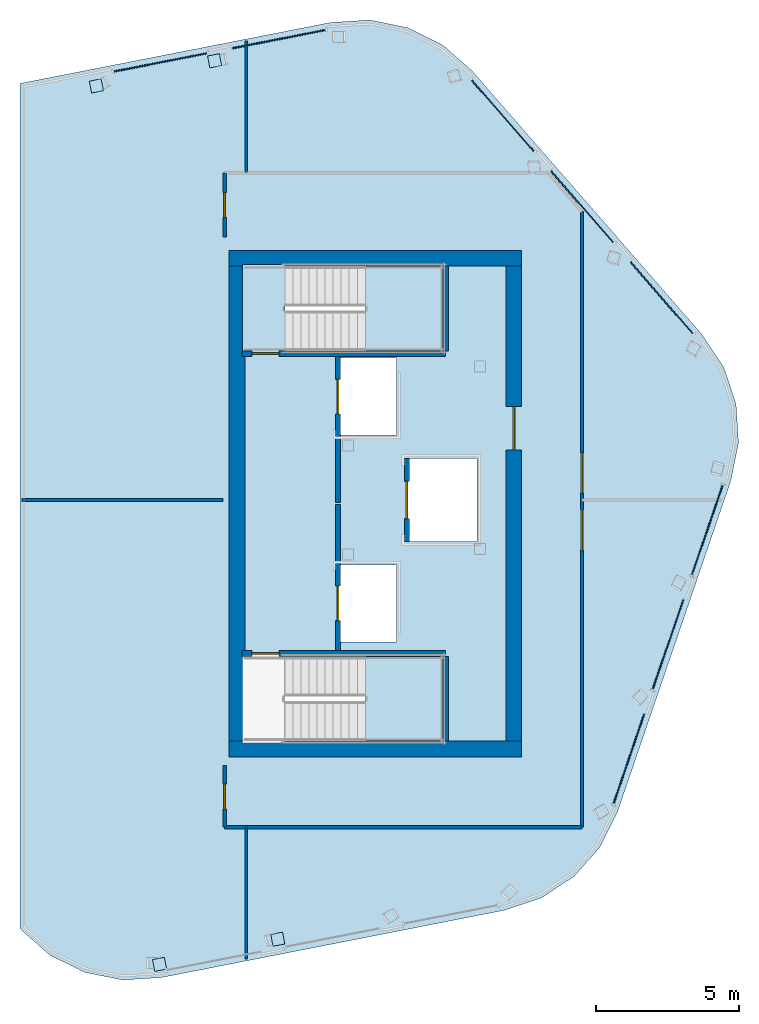
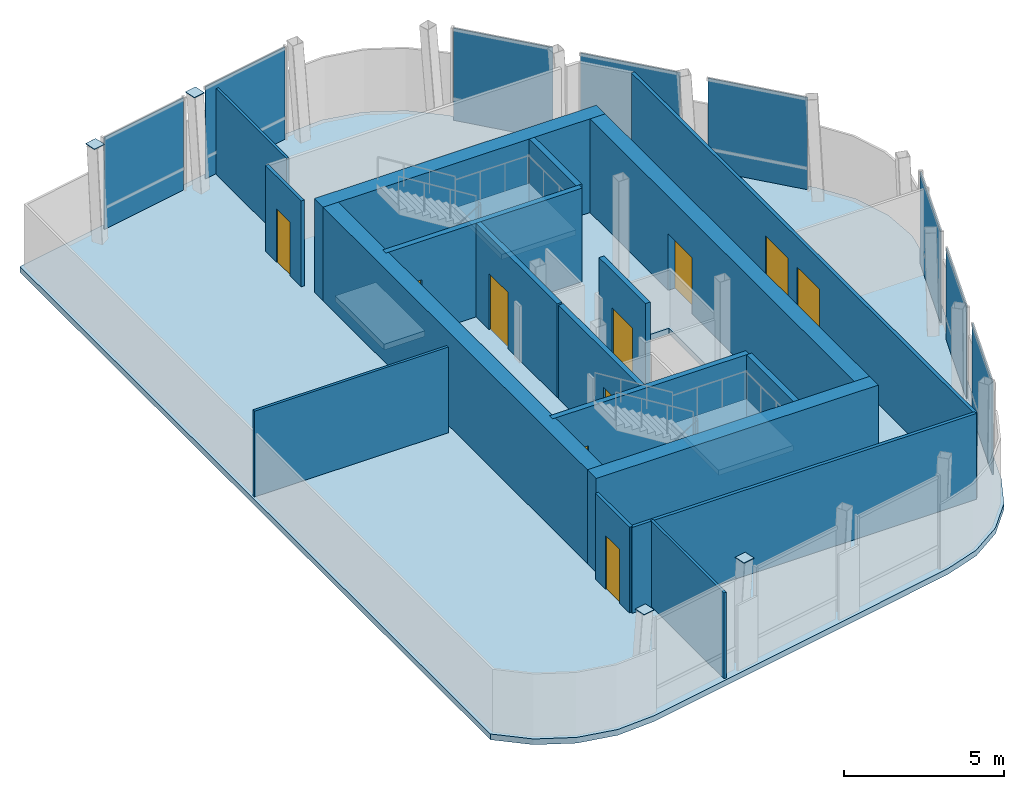
# One storey, part 2 of 5: 18 walls, 12 plates, 10 doors, 4 slabs, 10 openings, 5 elements without a shape of their own.
"""IFC4 building model written with IfcOpenShell, lengths in metres."""

from ifc_helpers import new_model, si_unit, direction, frame, frame_2d, origin, origin_2d, place, context, subcontext, project, spatial, polyline, rectangle, outline, extrude, material, layer, layer_set, type_object, element, fill, aggregate, save


model = new_model("IFC4")

# Units and contexts
model_context = context("Model", 3, precision=1e-05, world=origin(), true_north=direction((0.0, 1.0)))
body_context = subcontext(model_context, "Body", "Model", "MODEL_VIEW")
ifc_project = project(units=[si_unit("LENGTHUNIT", "METRE"), si_unit("AREAUNIT", "SQUARE_METRE"), si_unit("VOLUMEUNIT", "CUBIC_METRE"), si_unit("PLANEANGLEUNIT", "RADIAN"), si_unit("MASSUNIT", "GRAM", prefix="KILO")], contexts=[model_context])

# Site, building, storey
site_placement = place(None, origin())
site = spatial("IfcSite", under=ifc_project, at=site_placement, CompositionType="ELEMENT")
building_placement = place(site_placement, origin())
building = spatial("IfcBuilding", under=site, at=building_placement, Name="Valkerne Bourse Tower", CompositionType="ELEMENT")
storey_placement = place(building_placement, frame((0.0, 0.0, 330.60009765625)))
storey = spatial("IfcBuildingStorey", under=building, at=storey_placement, Name="L84", CompositionType="ELEMENT", Elevation=330.60009765625)

# Curtain wall, plates
ifc_material_1 = material(Name="Aluminium AA 6063-T6", Category="aluminium")
ifc_layer_1 = layer(ifc_material_1, 0.25)
ifc_layer_set_1 = layer_set([ifc_layer_1], Name="Aluminium AA 6063-T6")
curtain_wall_type = type_object("IfcCurtainWallType", Name="CW-06", PredefinedType="NOTDEFINED", material=ifc_layer_set_1)
curtain_wall_1_placement = place(storey_placement, origin())
curtain_wall_1 = element("IfcCurtainWall", 1, at=curtain_wall_1_placement, inside=storey, type_object=curtain_wall_type, Name="L84 Hexagonal Stick Curtain Wall Face 1", PredefinedType="NOTDEFINED")
ifc_material_2 = material(Name="Bronze Anodised Aluminium AA 6063-T6", Category="aluminium")
ifc_layer_2 = layer(ifc_material_2, 0.0400390625)
ifc_layer_set_2 = layer_set([ifc_layer_2], Name="Bronze Anodised Aluminium AA 6063-T6")
plate_type_1 = type_object("IfcPlateType", Name="CW-PNL-LOUVRE-40", PredefinedType="CURTAIN_PANEL", material=ifc_layer_set_2)
plate_1_placement = place(storey_placement, frame((47.941650390625, 43.05908203125, 0.02978515625), z_axis=(0.0, 0.0, 1.0), x_axis=(-0.981292735792, -0.192521600561, 0.0)))
plate_1 = element("IfcPlate", 2, at=plate_1_placement, type_object=plate_type_1, Name="CW-L84-F1 Curtain Panel 00", PredefinedType="CURTAIN_PANEL", context=body_context, shape_type="SweptSolid", body=[
    extrude(rectangle(XDim=3.2919921875, YDim=0.0400390625, at=origin_2d()), origin(), (0.0, 0.0, 1.0), 3.52001953125),
])
plate_2_placement = place(storey_placement, frame((43.80859375, 42.248046875, 0.02978515625), z_axis=(0.0, 0.0, 1.0), x_axis=(-0.981292735792, -0.192521600561, 0.0)))
plate_2 = element("IfcPlate", 3, at=plate_2_placement, type_object=plate_type_1, Name="CW-L84-F1 Curtain Panel 01", PredefinedType="CURTAIN_PANEL", context=body_context, shape_type="SweptSolid", body=[
    extrude(rectangle(XDim=3.2919921875, YDim=0.0400390625, at=origin_2d()), origin(), (0.0, 0.0, 1.0), 3.52001953125),
])
aggregate(curtain_wall_1, [plate_1, plate_2])

curtain_wall_2_placement = place(storey_placement, origin())
curtain_wall_2 = element("IfcCurtainWall", 4, at=curtain_wall_2_placement, inside=storey, type_object=curtain_wall_type, Name="L84 Hexagonal Stick Curtain Wall Face 5", PredefinedType="NOTDEFINED")
plate_3_placement = place(storey_placement, frame((60.13671875, 17.981689453125, 0.02978515625), z_axis=(0.0, 0.0, 1.0), x_axis=(0.32390972172, 0.946087993886, 0.0)))
plate_3 = element("IfcPlate", 5, at=plate_3_placement, type_object=plate_type_1, Name="CW-L84-F5 Curtain Panel 00", PredefinedType="CURTAIN_PANEL", context=body_context, shape_type="SweptSolid", body=[
    extrude(rectangle(XDim=3.2919921875, YDim=0.0400390625, at=origin_2d()), origin(), (0.0, 0.0, 1.0), 3.52001953125),
])
plate_4_placement = place(storey_placement, frame((61.5009765625, 21.966796875, 0.02978515625), z_axis=(0.0, 0.0, 1.0), x_axis=(0.323930972356, 0.946080718094, 0.0)))
plate_4 = element("IfcPlate", 6, at=plate_4_placement, type_object=plate_type_1, Name="CW-L84-F5 Curtain Panel 01", PredefinedType="CURTAIN_PANEL", context=body_context, shape_type="SweptSolid", body=[
    extrude(rectangle(XDim=3.2919921875, YDim=0.0400390625, at=origin_2d()), origin(), (0.0, 0.0, 1.0), 3.52001953125),
])
plate_5_placement = place(storey_placement, frame((62.865234375, 25.95166015625, 0.02978515625), z_axis=(0.0, 0.0, 1.0), x_axis=(0.32390972172, 0.946087993886, 0.0)))
plate_5 = element("IfcPlate", 7, at=plate_5_placement, type_object=plate_type_1, Name="CW-L84-F5 Curtain Panel 02", PredefinedType="CURTAIN_PANEL", context=body_context, shape_type="SweptSolid", body=[
    extrude(rectangle(XDim=3.2919921875, YDim=0.0400390625, at=origin_2d()), origin(), (0.0, 0.0, 1.0), 3.52001953125),
])
aggregate(curtain_wall_2, [plate_3, plate_4, plate_5])

curtain_wall_3_placement = place(storey_placement, origin())
curtain_wall_3 = element("IfcCurtainWall", 8, at=curtain_wall_3_placement, inside=storey, type_object=curtain_wall_type, Name="L84 Hexagonal Stick Curtain Wall Face 6", PredefinedType="NOTDEFINED")
plate_6_placement = place(storey_placement, frame((61.2783203125, 34.040771484375, 0.02978515625), z_axis=(0.0, 0.0, 1.0), x_axis=(-0.657367604564, 0.753570058103, 0.0)))
plate_6 = element("IfcPlate", 9, at=plate_6_placement, type_object=plate_type_1, Name="CW-L84-F6 Curtain Panel 00", PredefinedType="CURTAIN_PANEL", context=body_context, shape_type="SweptSolid", body=[
    extrude(rectangle(XDim=3.2919921875, YDim=0.0400390625, at=origin_2d()), origin(), (0.0, 0.0, 1.0), 3.52001953125),
])
plate_7_placement = place(storey_placement, frame((58.509521484375, 37.21484375, 0.02978515625), z_axis=(0.0, 0.0, 1.0), x_axis=(-0.657381086544, 0.753558297051, 0.0)))
plate_7 = element("IfcPlate", 10, at=plate_7_placement, type_object=plate_type_1, Name="CW-L84-F6 Curtain Panel 01", PredefinedType="CURTAIN_PANEL", context=body_context, shape_type="SweptSolid", body=[
    extrude(rectangle(XDim=3.2919921875, YDim=0.0400390625, at=origin_2d()), origin(), (0.0, 0.0, 1.0), 3.52001953125),
])
plate_8_placement = place(storey_placement, frame((55.740478515625, 40.388916015625, 0.02978515625), z_axis=(0.0, 0.0, 1.0), x_axis=(-0.657381086544, 0.753558297051, 0.0)))
plate_8 = element("IfcPlate", 11, at=plate_8_placement, type_object=plate_type_1, Name="CW-L84-F6 Curtain Panel 02", PredefinedType="CURTAIN_PANEL", context=body_context, shape_type="SweptSolid", body=[
    extrude(rectangle(XDim=3.2919921875, YDim=0.0400390625, at=origin_2d()), origin(), (0.0, 0.0, 1.0), 3.52001953125),
])
aggregate(curtain_wall_3, [plate_6, plate_7, plate_8])

# Plates
ifc_material_3 = material(Name="Steel ASTM A572 Grade 50", Category="steel")
ifc_layer_3 = layer(ifc_material_3, 0.02490234375)
ifc_layer_set_3 = layer_set([ifc_layer_3], Name="Steel ASTM A572 Grade 50")
plate_type_2 = type_object("IfcPlateType", Name="PLT-CAP-400", PredefinedType="SHEET", material=ifc_layer_set_3)
for number, where, z_axis, x_axis, name in (
    (12, (45.69921875, 42.304443359375, 3.791015625), (0.0, 0.0, 1.0), (-0.981292663992, -0.192521966526, 0.0), "L84 HSS400 Column Head Cap Plate PLT-CAP400-L84-016"),
    (13, (41.579345703125, 41.428466796875, 3.791015625), (0.0, 0.0, 1.0), (-0.981292663992, -0.192521966526, 0.0), "L84 HSS400 Column Head Cap Plate PLT-CAP400-L84-017"),
    (14, (43.781005859375, 10.819580078125, 3.791015625), (0.0, 0.0, 1.0), (0.981292663992, 0.192521966526, 0.0), "L84 HSS400 Column Head Cap Plate PLT-CAP400-L84-018"),
    (15, (47.90087890625, 11.695556640625, 3.791015625), (0.0, 0.0, 1.0), (0.981292663992, 0.192521966526, 0.0), "L84 HSS400 Column Head Cap Plate PLT-CAP400-L84-019"),
):
    element("IfcPlate", number, at=place(storey_placement, frame(where, z_axis=z_axis, x_axis=x_axis)), inside=storey, type_object=plate_type_2, Name=name, PredefinedType="SHEET", context=body_context, shape_type="SweptSolid", body=[
        extrude(rectangle(XDim=0.419921875, YDim=0.419921875, at=origin_2d()), origin(), (0.0, 0.0, 1.0), 0.02490234375),
    ])

# Slabs
ifc_material_4 = material(Name="Concrete C40/50", Category="concrete")
ifc_layer_4 = layer(ifc_material_4, 0.219970703125)
ifc_layer_set_4 = layer_set([ifc_layer_4], Name="Concrete C40/50")
slab_type_1 = type_object("IfcSlabType", Name="SLB-CRN-220", PredefinedType="FLOOR", material=ifc_layer_set_4)
slab_1_placement = place(storey_placement, frame((0.0, 0.0, -0.22021484375)))
element("IfcSlab", 16, at=slab_1_placement, inside=storey, type_object=slab_type_1, Name="L84 Crown Composite Floor Slab", PredefinedType="FLOOR", context=body_context, shape_type="SweptSolid", body=[
    extrude(outline(polyline([(49.749267578125, 43.640869140625), (51.10400390625, 43.72607421875), (52.434814453125, 43.457763671875), (53.650634765625, 42.85400390625), (54.6689453125, 41.956298828125), (62.685791015625, 32.766357421875), (63.437255859375, 31.635498046875), (63.8701171875, 30.34912109375), (63.955322265625, 28.994140625), (63.68701171875, 27.66357421875), (59.73681640625, 16.12548828125), (59.133056640625, 14.90966796875), (58.2353515625, 13.891357421875), (57.104736328125, 13.14013671875), (55.818115234375, 12.707275390625), (43.850830078125, 10.359130859375), (42.49609375, 10.27392578125), (41.165283203125, 10.542236328125), (39.949462890625, 11.14599609375), (38.93115234375, 12.043701171875), (38.91796875, 12.05859375), (38.91796875, 41.515625), (49.749267578125, 43.640869140625)]), holes=[polyline([(53.675048828125, 18.534912109375), (46.6650390625, 18.534912109375), (46.6650390625, 21.614990234375), (53.675048828125, 21.614990234375), (53.675048828125, 18.534912109375)]), polyline([(46.6650390625, 32.135009765625), (46.6650390625, 35.215087890625), (53.675048828125, 35.215087890625), (53.675048828125, 32.135009765625), (46.6650390625, 32.135009765625)]), polyline([(52.0400390625, 22.06005859375), (49.9599609375, 22.06005859375), (49.9599609375, 24.739990234375), (52.0400390625, 24.739990234375), (52.0400390625, 22.06005859375)]), polyline([(49.9599609375, 29.260009765625), (49.9599609375, 31.93994140625), (52.0400390625, 31.93994140625), (52.0400390625, 29.260009765625), (49.9599609375, 29.260009765625)]), polyline([(54.840087890625, 25.56005859375), (52.360107421875, 25.56005859375), (52.360107421875, 28.43994140625), (54.840087890625, 28.43994140625), (54.840087890625, 25.56005859375)])]), origin(), (0.0, 0.0, 1.0), 0.22021484375),
])
ifc_layer_5 = layer(ifc_material_4, 0.25)
ifc_layer_set_5 = layer_set([ifc_layer_5], Name="Concrete C40/50")
slab_type_2 = type_object("IfcSlabType", Name="SLB-RMP-LND-250", PredefinedType="LANDING", material=ifc_layer_set_5)
slab_2_placement = place(storey_placement, frame((0.0, 0.0, -0.22021484375)))
element("IfcSlab", 17, at=slab_2_placement, inside=storey, type_object=slab_type_2, Name="L84 ST-2 Floor Landing Slab", PredefinedType="LANDING", context=body_context, shape_type="SweptSolid", body=[
    extrude(outline(polyline([(46.669921875, 32.139892578125), (48.14990234375, 32.139892578125), (48.14990234375, 35.2099609375), (46.669921875, 35.2099609375), (46.669921875, 32.139892578125)])), origin(), (0.0, 0.0, 1.0), 0.22021484375),
])

# Stair, slab
stair_type = type_object("IfcStairType", Name="ST-CORE-1400", PredefinedType="HALF_TURN_STAIR", material=ifc_material_4)
stair_1_placement = place(storey_placement, origin())
stair_1 = element("IfcStair", 18, at=stair_1_placement, inside=storey, type_object=stair_type, Name="L84 ST-1", PredefinedType="HALF_TURN_STAIR")
ifc_layer_6 = layer(ifc_material_4, 0.179931640625)
ifc_layer_set_6 = layer_set([ifc_layer_6], Name="Concrete C40/50")
slab_type_3 = type_object("IfcSlabType", Name="SLB-ST-LND-180", PredefinedType="LANDING", material=ifc_layer_set_6)
slab_3_placement = place(storey_placement, frame((0.0, 0.0, 1.699951171875)))
slab_3 = element("IfcSlab", 19, at=slab_3_placement, type_object=slab_type_3, Name="ST-1 landing 1", PredefinedType="LANDING", context=body_context, shape_type="SweptSolid", body=[
    extrude(outline(polyline([(50.949951171875, 18.60009765625), (53.64990234375, 18.60009765625), (53.64990234375, 21.550048828125), (50.949951171875, 21.550048828125), (50.949951171875, 18.60009765625)])), origin(), (0.0, 0.0, 1.0), 0.199951171875),
])
aggregate(stair_1, [slab_3])

stair_2_placement = place(storey_placement, origin())
stair_2 = element("IfcStair", 20, at=stair_2_placement, inside=storey, type_object=stair_type, Name="L84 ST-2", PredefinedType="HALF_TURN_STAIR")
slab_4_placement = place(storey_placement, frame((0.0, 0.0, 1.699951171875)))
slab_4 = element("IfcSlab", 21, at=slab_4_placement, type_object=slab_type_3, Name="ST-2 landing 1", PredefinedType="LANDING", context=body_context, shape_type="SweptSolid", body=[
    extrude(outline(polyline([(50.949951171875, 32.199951171875), (53.64990234375, 32.199951171875), (53.64990234375, 35.14990234375), (50.949951171875, 35.14990234375), (50.949951171875, 32.199951171875)])), origin(), (0.0, 0.0, 1.0), 0.199951171875),
])
aggregate(stair_2, [slab_4])

# Walls
ifc_material_5 = material(Name="Concrete C55/67", Category="concrete")
ifc_layer_7 = layer(ifc_material_5, 0.550048828125)
ifc_layer_set_7 = layer_set([ifc_layer_7], Name="Concrete C55/67")
wall_type_1 = type_object("IfcWallType", Name="W-CORE-550", PredefinedType="SHEAR", material=ifc_layer_set_7)
for number, where, z_axis, x_axis, name in (
    (22, (46.199951171875, 18.324951171875, 0.0), (0.0, 0.0, 1.0), (1.0, 0.0, 0.0), "L84 Core Shear Wall SOUTH"),
    (23, (46.199951171875, 35.425048828125, 0.0), (0.0, 0.0, 1.0), (1.0, 0.0, 0.0), "L84 Core Shear Wall NORTH"),
):
    element("IfcWall", number, at=place(storey_placement, frame(where, z_axis=z_axis, x_axis=x_axis)), inside=storey, type_object=wall_type_1, Name=name, PredefinedType="SHEAR", context=body_context, shape_type="SweptSolid", body=[
        extrude(rectangle(XDim=10.199951171875, YDim=0.550048828125, at=frame_2d((5.10009765625, 0.0))), origin(), (0.0, 0.0, 1.0), 3.579833984375),
    ])

# Wall, opening, door
wall_1_placement = place(storey_placement, frame((56.125, 18.60009765625, 0.0), z_axis=(0.0, 0.0, 1.0), x_axis=(0.0, 1.0, 0.0)))
wall_1 = element("IfcWall", 24, at=wall_1_placement, inside=storey, type_object=wall_type_1, Name="L84 Core Shear Wall EAST", PredefinedType="SHEAR", context=body_context, shape_type="SweptSolid", body=[
    extrude(rectangle(XDim=16.5498046875, YDim=0.550048828125, at=frame_2d((8.27490234375, 0.0))), origin(), (0.0, 0.0, 1.0), 3.579833984375),
])
opening_1_placement = place(wall_1_placement, frame((10.14990234375, 0.0, 0.0)))
opening_1 = element("IfcOpeningElement", 25, at=opening_1_placement, cuts=wall_1, Name="Opening D-CR-1500", PredefinedType="OPENING", context=body_context, shape_type="SweptSolid", body=[
    extrude(rectangle(XDim=1.5, YDim=2.14990234375, at=frame_2d((0.75, 1.074951171875))), frame((0.0, 0.284912109375, 0.0), z_axis=(0.0, -1.0, 0.0), x_axis=(1.0, 0.0, 0.0)), (0.0, 0.0, 1.0), 0.570068359375),
])
ifc_material_6 = material(Name="Galvanised Painted Steel", Category="steel")
door_type_1 = type_object("IfcDoorType", Name="DR-CORR-1500", OperationType="DOUBLE_DOOR_SINGLE_SWING", PredefinedType="DOOR", material=ifc_material_6)
door_1_placement = place(opening_1_placement, origin())
door_1 = element("IfcDoor", 26, at=door_1_placement, inside=storey, type_object=door_type_1, Name="L84 East Core Service Lobby Fire Door", OperationType="DOUBLE_DOOR_SINGLE_SWING", OverallHeight=2.14990234375, OverallWidth=1.5, PredefinedType="DOOR", context=body_context, shape_type="SweptSolid", body=[
    extrude(rectangle(XDim=1.5, YDim=2.14990234375, at=frame_2d((0.75, 1.074951171875))), frame((0.0, 0.02490234375, 0.0), z_axis=(0.0, -1.0, 0.0), x_axis=(1.0, 0.0, 0.0)), (0.0, 0.0, 1.0), 0.050048828125),
])
fill(opening_1, door_1)

# Wall
wall_2_placement = place(storey_placement, frame((46.47509765625, 18.60009765625, 0.0), z_axis=(0.0, 0.0, 1.0), x_axis=(0.0, 1.0, 0.0)))
element("IfcWall", 27, at=wall_2_placement, inside=storey, type_object=wall_type_1, Name="L84 Core Shear Wall WEST", PredefinedType="SHEAR", context=body_context, shape_type="SweptSolid", body=[
    extrude(rectangle(XDim=16.5498046875, YDim=0.550048828125, at=frame_2d((8.27490234375, 0.0))), origin(), (0.0, 0.0, 1.0), 3.579833984375),
])

# Wall, opening, door
ifc_material_7 = material(Name="Gypsum Board Steel-Stud Partition", Category="steel")
ifc_layer_8 = layer(ifc_material_7, 0.117919921875)
ifc_layer_set_8 = layer_set([ifc_layer_8], Name="Gypsum Board Steel-Stud Partition")
wall_type_2 = type_object("IfcWallType", Name="W-CORR-140", PredefinedType="PARTITIONING", material=ifc_layer_set_8)
wall_3_placement = place(storey_placement, frame((46.050048828125, 15.60009765625, 0.0), z_axis=(0.0, 0.0, 1.0), x_axis=(0.0, 1.0, 0.0)))
wall_3 = element("IfcWall", 28, at=wall_3_placement, inside=storey, type_object=wall_type_2, Name="L84 Corridor Enclosure Wall", PredefinedType="PARTITIONING", context=body_context, shape_type="SweptSolid", body=[
    extrude(rectangle(XDim=2.139892578125, YDim=0.117919921875, at=frame_2d((1.06982421875, 0.0))), origin(), (0.0, 0.0, 1.0), 3.27978515625),
])
opening_2_placement = place(wall_3_placement, frame((0.639892578125, 0.0, 0.0)))
opening_2 = element("IfcOpeningElement", 29, at=opening_2_placement, cuts=wall_3, Name="Opening D-WC-900", PredefinedType="OPENING", context=body_context, shape_type="SweptSolid", body=[
    extrude(rectangle(XDim=0.860107421875, YDim=2.050048828125, at=frame_2d((0.43017578125, 1.02490234375))), frame((0.0, 0.06884765625, 0.0), z_axis=(0.0, -1.0, 0.0), x_axis=(1.0, 0.0, 0.0)), (0.0, 0.0, 1.0), 0.137939453125),
])
ifc_material_8 = material(Name="Architectural White Oak Timber", Category="wood")
door_type_2 = type_object("IfcDoorType", Name="DR-WC-900", OperationType="NOTDEFINED", PredefinedType="DOOR", material=ifc_material_8)
door_2_placement = place(opening_2_placement, origin())
door_2 = element("IfcDoor", 30, at=door_2_placement, inside=storey, type_object=door_type_2, Name="L84 L84 Crown Chiller & Heat-Rejection Cooling Plant 1 Door", OperationType="SINGLE_SWING_RIGHT", OverallHeight=2.050048828125, OverallWidth=0.860107421875, PredefinedType="DOOR", context=body_context, shape_type="SweptSolid", body=[
    extrude(rectangle(XDim=0.860107421875, YDim=2.050048828125, at=frame_2d((0.43017578125, 1.02490234375))), frame((0.0, 0.02490234375, 0.0), z_axis=(0.0, -1.0, 0.0), x_axis=(1.0, 0.0, 0.0)), (0.0, 0.0, 1.0), 0.050048828125),
])
fill(opening_2, door_2)

wall_4_placement = place(storey_placement, frame((46.050048828125, 36.159912109375, 0.0), z_axis=(0.0, 0.0, 1.0), x_axis=(0.0, 1.0, 0.0)))
wall_4 = element("IfcWall", 31, at=wall_4_placement, inside=storey, type_object=wall_type_2, Name="L84 Corridor Enclosure Wall", PredefinedType="PARTITIONING", context=body_context, shape_type="SweptSolid", body=[
    extrude(rectangle(XDim=2.239990234375, YDim=0.117919921875, at=frame_2d((1.1201171875, 0.0))), origin(), (0.0, 0.0, 1.0), 3.27978515625),
])
opening_3_placement = place(wall_4_placement, frame((0.68994140625, 0.0, 0.0)))
opening_3 = element("IfcOpeningElement", 32, at=opening_3_placement, cuts=wall_4, Name="Opening D-WC-900", PredefinedType="OPENING", context=body_context, shape_type="SweptSolid", body=[
    extrude(rectangle(XDim=0.860107421875, YDim=2.050048828125, at=frame_2d((0.43017578125, 1.02490234375))), frame((0.0, 0.06884765625, 0.0), z_axis=(0.0, -1.0, 0.0), x_axis=(1.0, 0.0, 0.0)), (0.0, 0.0, 1.0), 0.137939453125),
])
door_3_placement = place(opening_3_placement, origin())
door_3 = element("IfcDoor", 33, at=door_3_placement, inside=storey, type_object=door_type_2, Name="L84 L84 Crown Chiller & Heat-Rejection Cooling Plant 4 Door", OperationType="SINGLE_SWING_RIGHT", OverallHeight=2.050048828125, OverallWidth=0.860107421875, PredefinedType="DOOR", context=body_context, shape_type="SweptSolid", body=[
    extrude(rectangle(XDim=0.860107421875, YDim=2.050048828125, at=frame_2d((0.43017578125, 1.02490234375))), frame((0.0, 0.02490234375, 0.0), z_axis=(0.0, -1.0, 0.0), x_axis=(1.0, 0.0, 0.0)), (0.0, 0.0, 1.0), 0.050048828125),
])
fill(opening_3, door_3)

# Wall, openings, doors
wall_5_placement = place(storey_placement, frame((58.5, 37.047607421875, 0.0), z_axis=(0.0, 0.0, 1.0), x_axis=(0.0, -1.0, 0.0)))
wall_5 = element("IfcWall", 34, at=wall_5_placement, inside=storey, type_object=wall_type_2, Name="L84 Corridor Enclosure Wall", PredefinedType="PARTITIONING", context=body_context, shape_type="SweptSolid", body=[
    extrude(rectangle(XDim=21.447509765625, YDim=0.117919921875, at=frame_2d((10.7236328125, 0.0))), origin(), (0.0, 0.0, 1.0), 3.27978515625),
])
opening_4_placement = place(wall_5_placement, frame((10.3837890625, 0.0, 0.0)))
opening_4 = element("IfcOpeningElement", 35, at=opening_4_placement, cuts=wall_5, Name="Opening D-PL-1400", PredefinedType="OPENING", context=body_context, shape_type="SweptSolid", body=[
    extrude(rectangle(XDim=1.39990234375, YDim=2.14990234375, at=frame_2d((0.699951171875, 1.074951171875))), frame((0.0, 0.06884765625, 0.0), z_axis=(0.0, -1.0, 0.0), x_axis=(1.0, 0.0, 0.0)), (0.0, 0.0, 1.0), 0.137939453125),
])
opening_5_placement = place(wall_5_placement, frame((8.40380859375, 0.0, 0.0)))
opening_5 = element("IfcOpeningElement", 36, at=opening_5_placement, cuts=wall_5, Name="Opening D-PL-1400", PredefinedType="OPENING", context=body_context, shape_type="SweptSolid", body=[
    extrude(rectangle(XDim=1.39990234375, YDim=2.14990234375, at=frame_2d((0.699951171875, 1.074951171875))), frame((0.0, 0.06884765625, 0.0), z_axis=(0.0, -1.0, 0.0), x_axis=(1.0, 0.0, 0.0)), (0.0, 0.0, 1.0), 0.137939453125),
])
door_type_3 = type_object("IfcDoorType", Name="DR-PLT-1400", OperationType="DOUBLE_DOOR_SINGLE_SWING", PredefinedType="DOOR", material=ifc_material_6)
door_4_placement = place(opening_4_placement, origin())
door_4 = element("IfcDoor", 37, at=door_4_placement, inside=storey, type_object=door_type_3, Name="L84 L84 Crown Supply Air Handling AHU Plant 2 Door", OperationType="DOUBLE_DOOR_SINGLE_SWING", OverallHeight=2.14990234375, OverallWidth=1.39990234375, PredefinedType="DOOR", context=body_context, shape_type="SweptSolid", body=[
    extrude(rectangle(XDim=1.39990234375, YDim=2.14990234375, at=frame_2d((0.699951171875, 1.074951171875))), frame((0.0, 0.02490234375, 0.0), z_axis=(0.0, -1.0, 0.0), x_axis=(1.0, 0.0, 0.0)), (0.0, 0.0, 1.0), 0.050048828125),
])
fill(opening_4, door_4)
door_5_placement = place(opening_5_placement, origin())
door_5 = element("IfcDoor", 38, at=door_5_placement, inside=storey, type_object=door_type_3, Name="L84 L84 Crown Electrical Switchgear & UPS Plant 3 Door", OperationType="DOUBLE_DOOR_SINGLE_SWING", OverallHeight=2.14990234375, OverallWidth=1.39990234375, PredefinedType="DOOR", context=body_context, shape_type="SweptSolid", body=[
    extrude(rectangle(XDim=1.39990234375, YDim=2.14990234375, at=frame_2d((0.699951171875, 1.074951171875))), frame((0.0, 0.02490234375, 0.0), z_axis=(0.0, -1.0, 0.0), x_axis=(1.0, 0.0, 0.0)), (0.0, 0.0, 1.0), 0.050048828125),
])
fill(opening_5, door_5)

# Wall
wall_6_placement = place(storey_placement, frame((58.5, 15.60009765625, 0.0), z_axis=(0.0, 0.0, 1.0), x_axis=(-1.0, 0.0, 0.0)))
element("IfcWall", 39, at=wall_6_placement, inside=storey, type_object=wall_type_2, Name="L84 Corridor Enclosure Wall", PredefinedType="PARTITIONING", context=body_context, shape_type="SweptSolid", body=[
    extrude(rectangle(XDim=12.449951171875, YDim=0.117919921875, at=frame_2d((6.22509765625, 0.0))), origin(), (0.0, 0.0, 1.0), 3.27978515625),
])

# Wall, opening, door
ifc_material_9 = material(Name="Gypsum Fire-Rated Shaftwall", Category="gypsum")
ifc_layer_9 = layer(ifc_material_9, 0.179931640625)
ifc_layer_set_9 = layer_set([ifc_layer_9], Name="Gypsum Fire-Rated Shaftwall")
wall_type_3 = type_object("IfcWallType", Name="W-FSAE-180", PredefinedType="PARTITIONING", material=ifc_layer_set_9)
wall_7_placement = place(storey_placement, frame((50.0, 21.75, 0.0), z_axis=(0.0, 0.0, 1.0), x_axis=(0.0, 1.0, 0.0)))
wall_7 = element("IfcWall", 40, at=wall_7_placement, inside=storey, type_object=wall_type_3, Name="L84 FSAE-1 Lobby & Shaft Front Wall", PredefinedType="PARTITIONING", context=body_context, shape_type="SweptSolid", body=[
    extrude(rectangle(XDim=5.090087890625, YDim=0.179931640625, at=frame_2d((2.544921875, 0.0))), origin(), (0.0, 0.0, 1.0), 3.579833984375),
])
opening_6_placement = place(wall_7_placement, frame((1.050048828125, 0.0, 0.0)))
opening_6 = element("IfcOpeningElement", 41, at=opening_6_placement, cuts=wall_7, Name="Opening LD-1200", PredefinedType="OPENING", context=body_context, shape_type="SweptSolid", body=[
    extrude(rectangle(XDim=1.199951171875, YDim=2.14990234375, at=frame_2d((0.60009765625, 1.074951171875))), frame((0.0, 0.099853515625, 0.0), z_axis=(0.0, -1.0, 0.0), x_axis=(1.0, 0.0, 0.0)), (0.0, 0.0, 1.0), 0.199951171875),
])
ifc_material_10 = material(Name="Stainless Steel AISI 316", Category="steel")
door_type_4 = type_object("IfcDoorType", Name="DR-LIFT-1200", OperationType="DOUBLE_DOOR_SLIDING", PredefinedType="DOOR", material=ifc_material_10)
door_6_placement = place(opening_6_placement, origin())
door_6 = element("IfcDoor", 42, at=door_6_placement, inside=storey, type_object=door_type_4, Name="L84 FSAE-1 Firefighting Lift Landing Door", OperationType="DOUBLE_DOOR_SLIDING", OverallHeight=2.14990234375, OverallWidth=1.199951171875, PredefinedType="DOOR", context=body_context, shape_type="SweptSolid", body=[
    extrude(rectangle(XDim=1.199951171875, YDim=2.14990234375, at=frame_2d((0.60009765625, 1.074951171875))), frame((0.0, 0.02490234375, 0.0), z_axis=(0.0, -1.0, 0.0), x_axis=(1.0, 0.0, 0.0)), (0.0, 0.0, 1.0), 0.050048828125),
])
fill(opening_6, door_6)

wall_8_placement = place(storey_placement, frame((50.0, 26.919921875, 0.0), z_axis=(0.0, 0.0, 1.0), x_axis=(0.0, 1.0, 0.0)))
wall_8 = element("IfcWall", 43, at=wall_8_placement, inside=storey, type_object=wall_type_3, Name="L84 FSAE-2 Lobby & Shaft Front Wall", PredefinedType="PARTITIONING", context=body_context, shape_type="SweptSolid", body=[
    extrude(rectangle(XDim=5.080078125, YDim=0.179931640625, at=frame_2d((2.5400390625, 0.0))), origin(), (0.0, 0.0, 1.0), 3.579833984375),
])
opening_7_placement = place(wall_8_placement, frame((3.080078125, 0.0, 0.0)))
opening_7 = element("IfcOpeningElement", 44, at=opening_7_placement, cuts=wall_8, Name="Opening LD-1200", PredefinedType="OPENING", context=body_context, shape_type="SweptSolid", body=[
    extrude(rectangle(XDim=1.199951171875, YDim=2.14990234375, at=frame_2d((0.60009765625, 1.074951171875))), frame((0.0, 0.099853515625, 0.0), z_axis=(0.0, -1.0, 0.0), x_axis=(1.0, 0.0, 0.0)), (0.0, 0.0, 1.0), 0.199951171875),
])
door_7_placement = place(opening_7_placement, origin())
door_7 = element("IfcDoor", 45, at=door_7_placement, inside=storey, type_object=door_type_4, Name="L84 FSAE-2 Firefighting Lift Landing Door", OperationType="DOUBLE_DOOR_SLIDING", OverallHeight=2.14990234375, OverallWidth=1.199951171875, PredefinedType="DOOR", context=body_context, shape_type="SweptSolid", body=[
    extrude(rectangle(XDim=1.199951171875, YDim=2.14990234375, at=frame_2d((0.60009765625, 1.074951171875))), frame((0.0, 0.02490234375, 0.0), z_axis=(0.0, -1.0, 0.0), x_axis=(1.0, 0.0, 0.0)), (0.0, 0.0, 1.0), 0.050048828125),
])
fill(opening_7, door_7)

ifc_material_11 = material(Name="CMU Blockwork Masonry 200mm", Category="masonry")
ifc_layer_10 = layer(ifc_material_11, 0.179931640625)
ifc_layer_set_10 = layer_set([ifc_layer_10], Name="CMU Blockwork Masonry 200mm")
wall_type_4 = type_object("IfcWallType", Name="W-LFT-180", PredefinedType="SOLIDWALL", material=ifc_layer_set_10)
wall_9_placement = place(storey_placement, frame((52.39990234375, 25.550048828125, 0.0), z_axis=(0.0, 0.0, 1.0), x_axis=(0.0, 1.0, 0.0)))
wall_9 = element("IfcWall", 46, at=wall_9_placement, inside=storey, type_object=wall_type_4, Name="L84 Service Lift SV-1 Front Wall", PredefinedType="SOLIDWALL", context=body_context, shape_type="SweptSolid", body=[
    extrude(rectangle(XDim=2.89990234375, YDim=0.179931640625, at=frame_2d((1.449951171875, 0.0))), origin(), (0.0, 0.0, 1.0), 3.579833984375),
])
opening_8_placement = place(wall_9_placement, frame((0.800048828125, 0.0, 0.0)))
opening_8 = element("IfcOpeningElement", 47, at=opening_8_placement, cuts=wall_9, Name="Opening LD-1300", PredefinedType="OPENING", context=body_context, shape_type="SweptSolid", body=[
    extrude(rectangle(XDim=1.300048828125, YDim=2.14990234375, at=frame_2d((0.64990234375, 1.074951171875))), frame((0.0, 0.099853515625, 0.0), z_axis=(0.0, -1.0, 0.0), x_axis=(1.0, 0.0, 0.0)), (0.0, 0.0, 1.0), 0.199951171875),
])
door_type_5 = type_object("IfcDoorType", Name="DR-LIFT-1300", OperationType="DOUBLE_DOOR_SLIDING", PredefinedType="DOOR", material=ifc_material_10)
door_8_placement = place(opening_8_placement, origin())
door_8 = element("IfcDoor", 48, at=door_8_placement, inside=storey, type_object=door_type_5, Name="L84 Service Lift SV-1 Landing Door", OperationType="DOUBLE_DOOR_SLIDING", OverallHeight=2.14990234375, OverallWidth=1.300048828125, PredefinedType="DOOR", context=body_context, shape_type="SweptSolid", body=[
    extrude(rectangle(XDim=1.300048828125, YDim=2.14990234375, at=frame_2d((0.64990234375, 1.074951171875))), frame((0.0, 0.02490234375, 0.0), z_axis=(0.0, -1.0, 0.0), x_axis=(1.0, 0.0, 0.0)), (0.0, 0.0, 1.0), 0.050048828125),
])
fill(opening_8, door_8)

# Walls
ifc_layer_11 = layer(ifc_material_7, 0.092041015625)
ifc_layer_set_11 = layer_set([ifc_layer_11], Name="Gypsum Board Steel-Stud Partition")
wall_type_5 = type_object("IfcWallType", Name="W-PART-115", PredefinedType="PARTITIONING", material=ifc_layer_set_11)
for number, where, z_axis, x_axis, name in (
    (49, (46.800048828125, 15.594970703125, 0.0), (0.0, 0.0, 1.0), (0.0, -1.0, 0.0), "L84 Suite Partition P01"),
    (50, (46.800048828125, 38.405029296875, 0.0), (0.0, 0.0, 1.0), (0.0, 1.0, 0.0), "L84 Suite Partition P02"),
):
    element("IfcWall", number, at=place(storey_placement, frame(where, z_axis=z_axis, x_axis=x_axis)), inside=storey, type_object=wall_type_5, Name=name, PredefinedType="PARTITIONING", context=body_context, shape_type="SweptSolid", body=[
        extrude(rectangle(XDim=4.585693359375, YDim=0.092041015625, at=frame_2d((2.29296875, 0.0))), origin(), (0.0, 0.0, 1.0), 3.27978515625),
    ])
wall_10_placement = place(storey_placement, frame((46.0, 27.0, 0.0), z_axis=(0.0, 0.0, 1.0), x_axis=(-1.0, 0.0, 0.0)))
element("IfcWall", 51, at=wall_10_placement, inside=storey, type_object=wall_type_5, Name="L84 Suite Partition P04", PredefinedType="PARTITIONING", context=body_context, shape_type="SweptSolid", body=[
    extrude(rectangle(XDim=7.011962890625, YDim=0.092041015625, at=frame_2d((3.505859375, 0.0))), origin(), (0.0, 0.0, 1.0), 3.27978515625),
])

# Wall, opening, door
ifc_layer_12 = layer(ifc_material_4, 0.199951171875)
ifc_layer_set_12 = layer_set([ifc_layer_12], Name="Concrete C40/50")
wall_type_6 = type_object("IfcWallType", Name="W-SHF-200", PredefinedType="SHEAR", material=ifc_layer_set_12)
wall_11_placement = place(storey_placement, frame((46.64990234375, 21.64990234375, 0.0), z_axis=(0.0, 0.0, 1.0), x_axis=(1.0, 0.0, 0.0)))
wall_11 = element("IfcWall", 52, at=wall_11_placement, inside=storey, type_object=wall_type_6, Name="L84 Exit Stair ST-1 Structural Shaft Wall North", PredefinedType="SHEAR", context=body_context, shape_type="SweptSolid", body=[
    extrude(rectangle(XDim=7.10009765625, YDim=0.199951171875, at=frame_2d((3.550048828125, 0.0))), origin(), (0.0, 0.0, 1.0), 3.579833984375),
])
opening_9_placement = place(wall_11_placement, frame((0.35009765625, 0.0, 0.0)))
opening_9 = element("IfcOpeningElement", 53, at=opening_9_placement, cuts=wall_11, Name="Opening D-ST-950", PredefinedType="OPENING", context=body_context, shape_type="SweptSolid", body=[
    extrude(rectangle(XDim=0.949951171875, YDim=2.10009765625, at=frame_2d((0.47509765625, 1.050048828125))), frame((0.0, 0.10986328125, 0.0), z_axis=(0.0, -1.0, 0.0), x_axis=(1.0, 0.0, 0.0)), (0.0, 0.0, 1.0), 0.219970703125),
])
door_type_6 = type_object("IfcDoorType", Name="DR-STAIR-950", OperationType="NOTDEFINED", PredefinedType="DOOR", material=ifc_material_6)
door_9_placement = place(opening_9_placement, origin())
door_9 = element("IfcDoor", 54, at=door_9_placement, inside=storey, type_object=door_type_6, Name="L84 Exit Stair ST-1 Door", OperationType="SINGLE_SWING_RIGHT", OverallHeight=2.10009765625, OverallWidth=0.949951171875, PredefinedType="DOOR", context=body_context, shape_type="SweptSolid", body=[
    extrude(rectangle(XDim=0.949951171875, YDim=2.10009765625, at=frame_2d((0.47509765625, 1.050048828125))), frame((0.0, 0.02490234375, 0.0), z_axis=(0.0, -1.0, 0.0), x_axis=(1.0, 0.0, 0.0)), (0.0, 0.0, 1.0), 0.050048828125),
])
fill(opening_9, door_9)

# Wall
wall_12_placement = place(storey_placement, frame((53.75, 18.60009765625, 0.0), z_axis=(0.0, 0.0, 1.0), x_axis=(0.0, 1.0, 0.0)))
element("IfcWall", 55, at=wall_12_placement, inside=storey, type_object=wall_type_6, Name="L84 Exit Stair ST-1 Structural Shaft Wall East", PredefinedType="SHEAR", context=body_context, shape_type="SweptSolid", body=[
    extrude(rectangle(XDim=2.949951171875, YDim=0.199951171875, at=frame_2d((1.47509765625, 0.0))), origin(), (0.0, 0.0, 1.0), 3.579833984375),
])

# Wall, opening, door
wall_13_placement = place(storey_placement, frame((46.64990234375, 32.10009765625, 0.0), z_axis=(0.0, 0.0, 1.0), x_axis=(1.0, 0.0, 0.0)))
wall_13 = element("IfcWall", 56, at=wall_13_placement, inside=storey, type_object=wall_type_6, Name="L84 Exit Stair ST-2 Structural Shaft Wall South", PredefinedType="SHEAR", context=body_context, shape_type="SweptSolid", body=[
    extrude(rectangle(XDim=7.10009765625, YDim=0.199951171875, at=frame_2d((3.550048828125, 0.0))), origin(), (0.0, 0.0, 1.0), 3.579833984375),
])
opening_10_placement = place(wall_13_placement, frame((0.35009765625, 0.0, 0.0)))
opening_10 = element("IfcOpeningElement", 57, at=opening_10_placement, cuts=wall_13, Name="Opening D-ST-950", PredefinedType="OPENING", context=body_context, shape_type="SweptSolid", body=[
    extrude(rectangle(XDim=0.949951171875, YDim=2.10009765625, at=frame_2d((0.47509765625, 1.050048828125))), frame((0.0, 0.10986328125, 0.0), z_axis=(0.0, -1.0, 0.0), x_axis=(1.0, 0.0, 0.0)), (0.0, 0.0, 1.0), 0.219970703125),
])
door_10_placement = place(opening_10_placement, origin())
door_10 = element("IfcDoor", 58, at=door_10_placement, inside=storey, type_object=door_type_6, Name="L84 Exit Stair ST-2 Door", OperationType="SINGLE_SWING_RIGHT", OverallHeight=2.10009765625, OverallWidth=0.949951171875, PredefinedType="DOOR", context=body_context, shape_type="SweptSolid", body=[
    extrude(rectangle(XDim=0.949951171875, YDim=2.10009765625, at=frame_2d((0.47509765625, 1.050048828125))), frame((0.0, 0.02490234375, 0.0), z_axis=(0.0, -1.0, 0.0), x_axis=(1.0, 0.0, 0.0)), (0.0, 0.0, 1.0), 0.050048828125),
])
fill(opening_10, door_10)

# Wall
wall_14_placement = place(storey_placement, frame((53.75, 32.199951171875, 0.0), z_axis=(0.0, 0.0, 1.0), x_axis=(0.0, 1.0, 0.0)))
element("IfcWall", 59, at=wall_14_placement, inside=storey, type_object=wall_type_6, Name="L84 Exit Stair ST-2 Structural Shaft Wall East", PredefinedType="SHEAR", context=body_context, shape_type="SweptSolid", body=[
    extrude(rectangle(XDim=2.949951171875, YDim=0.199951171875, at=frame_2d((1.47509765625, 0.0))), origin(), (0.0, 0.0, 1.0), 3.579833984375),
])

save(model, "model.ifc")
